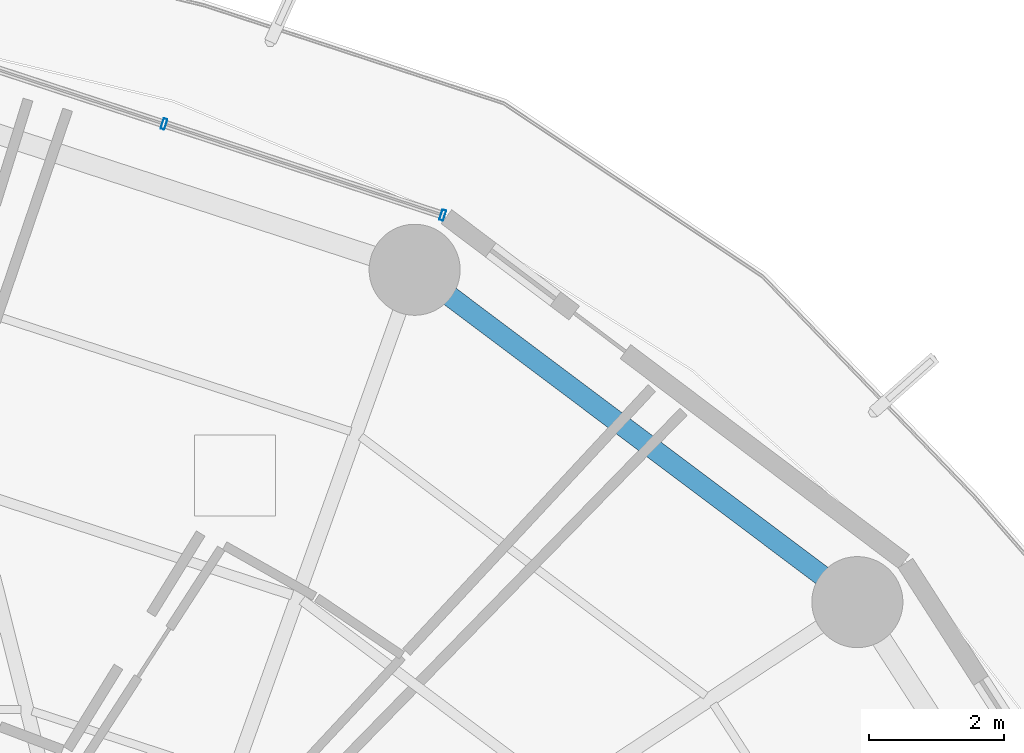
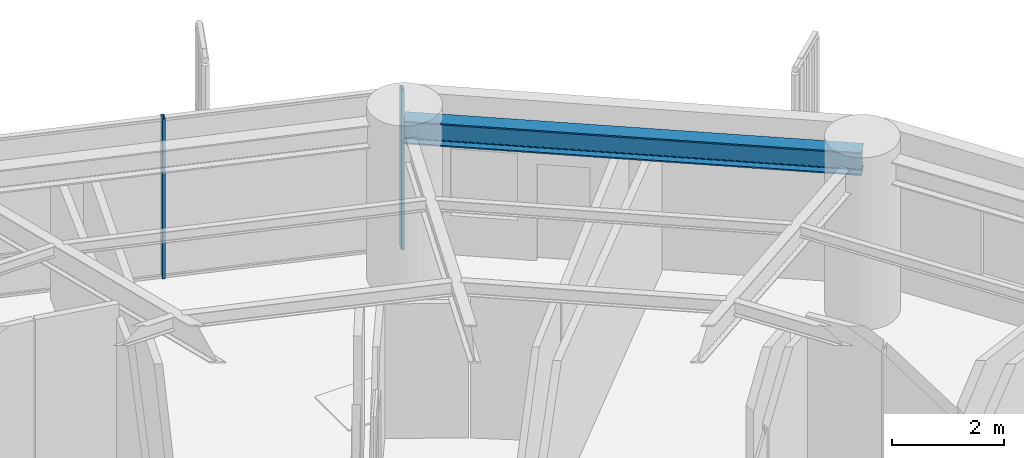
# One storey, part 24 of 35: 2 members, 1 beam, 1 element without a shape of its own.
"""IFC4 building model written with IfcOpenShell, lengths in metres."""

from ifc_helpers import new_model, si_unit, direction, frame, origin, origin_2d, place, context, subcontext, project, spatial, hollow_rectangle, i_section, extrude, material, layer, layer_set, material_profile, profile_set, type_object, element, aggregate, save


model = new_model("IFC4")

# Units and contexts
model_context = context("Model", 3, precision=1e-05, world=origin(), true_north=direction((0.0, 1.0)))
body_context = subcontext(model_context, "Body", "Model", "MODEL_VIEW")
ifc_project = project(units=[si_unit("LENGTHUNIT", "METRE"), si_unit("AREAUNIT", "SQUARE_METRE"), si_unit("VOLUMEUNIT", "CUBIC_METRE"), si_unit("PLANEANGLEUNIT", "RADIAN"), si_unit("MASSUNIT", "GRAM", prefix="KILO")], contexts=[model_context])

# Site, building, storey
site_placement = place(None, origin())
site = spatial("IfcSite", under=ifc_project, at=site_placement, CompositionType="ELEMENT")
building_placement = place(site_placement, origin())
building = spatial("IfcBuilding", under=site, at=building_placement, Name="Kelanora Arch Commons", CompositionType="ELEMENT")
storey_placement = place(building_placement, frame((0.0, 0.0, 95.10009765625)))
storey = spatial("IfcBuildingStorey", under=building, at=storey_placement, Name="L24", CompositionType="ELEMENT", Elevation=95.10009765625)

# Beam
ifc_material_1 = material(Name="Steel S355", Category="steel")
ifc_material_profile_1 = material_profile(ifc_material_1, i_section(OverallWidth=0.300048828125, OverallDepth=0.5, WebThickness=0.014404296875, FlangeThickness=0.028076171875, FilletRadius=0.027099609375, at=origin_2d()), Name="HEB500")
ifc_profile_set_1 = profile_set([ifc_material_profile_1], Name="Steel S355")
beam_type = type_object("IfcBeamType", Name="BM-SPN-Z2", PredefinedType="SPANDREL", material=ifc_profile_set_1)
beam_placement = place(storey_placement, frame((92.906005859375, 72.19287109375, 3.239990234375), z_axis=(-0.799735861602, 0.600352023123, 0.0), x_axis=(-0.600352023123, -0.799735861602, 0.0)))
element("IfcBeam", 1, at=beam_placement, inside=storey, type_object=beam_type, Name="Perimeter Spandrel Beam BS-04 L24", PredefinedType="SPANDREL", context=body_context, shape_type="SweptSolid", body=[
    extrude(i_section(OverallWidth=0.300048828125, OverallDepth=0.5, WebThickness=0.014404296875, FlangeThickness=0.028076171875, FilletRadius=0.027099609375, at=origin_2d()), origin(), (0.0, 0.0, 1.0), 8.210205078125),
])

# Curtain wall, members
ifc_material_2 = material(Name="Terracotta ceramic-fritted low-E glass and aluminium", Category="masonry")
ifc_layer = layer(ifc_material_2, 0.159912109375)
ifc_layer_set = layer_set([ifc_layer], Name="Terracotta ceramic-fritted low-E glass and aluminium")
curtain_wall_type = type_object("IfcCurtainWallType", Name="CW-SYS-01", PredefinedType="NOTDEFINED", material=ifc_layer_set)
curtain_wall_placement = place(storey_placement, origin())
curtain_wall = element("IfcCurtainWall", 2, at=curtain_wall_placement, inside=storey, type_object=curtain_wall_type, Name="Unitised Curtain Wall L24-B03", PredefinedType="NOTDEFINED")
ifc_material_3 = material(Name="Powder-coated aluminium terracotta", Category="masonry")
ifc_material_profile_2 = material_profile(ifc_material_3, hollow_rectangle(XDim=0.159912109375, YDim=0.06005859375, WallThickness=0.0048828125, InnerFilletRadius=0.0048828125, OuterFilletRadius=0.010009765625, at=origin_2d()), Name="CWM160x60")
ifc_profile_set_2 = profile_set([ifc_material_profile_2], Name="Powder-coated aluminium terracotta")
member_type = type_object("IfcMemberType", Name="CWM-STD", PredefinedType="MULLION", material=ifc_profile_set_2)
member_1_placement = place(storey_placement, frame((86.757080078125, 77.9326171875, 0.0), z_axis=(0.0, 0.0, 1.0), x_axis=(-0.31080470294, -0.950473795867, 0.0)))
member_1 = element("IfcMember", 3, at=member_1_placement, type_object=member_type, Name="CW-01 mullion 1", PredefinedType="MULLION", context=body_context, shape_type="SweptSolid", body=[
    extrude(hollow_rectangle(XDim=0.159912109375, YDim=0.06005859375, WallThickness=0.0048828125, InnerFilletRadius=0.0048828125, OuterFilletRadius=0.010009765625, at=origin_2d()), origin(), (0.0, 0.0, 1.0), 3.474853515625),
])
member_2_placement = place(storey_placement, frame((82.622802734375, 79.28466796875, 0.0), z_axis=(0.0, 0.0, 1.0), x_axis=(-0.31080470294, -0.950473795867, 0.0)))
member_2 = element("IfcMember", 4, at=member_2_placement, type_object=member_type, Name="CW-01 mullion 2", PredefinedType="MULLION", context=body_context, shape_type="SweptSolid", body=[
    extrude(hollow_rectangle(XDim=0.159912109375, YDim=0.06005859375, WallThickness=0.0048828125, InnerFilletRadius=0.0048828125, OuterFilletRadius=0.010009765625, at=origin_2d()), origin(), (0.0, 0.0, 1.0), 3.474853515625),
])
aggregate(curtain_wall, [member_1, member_2])

save(model, "model.ifc")
